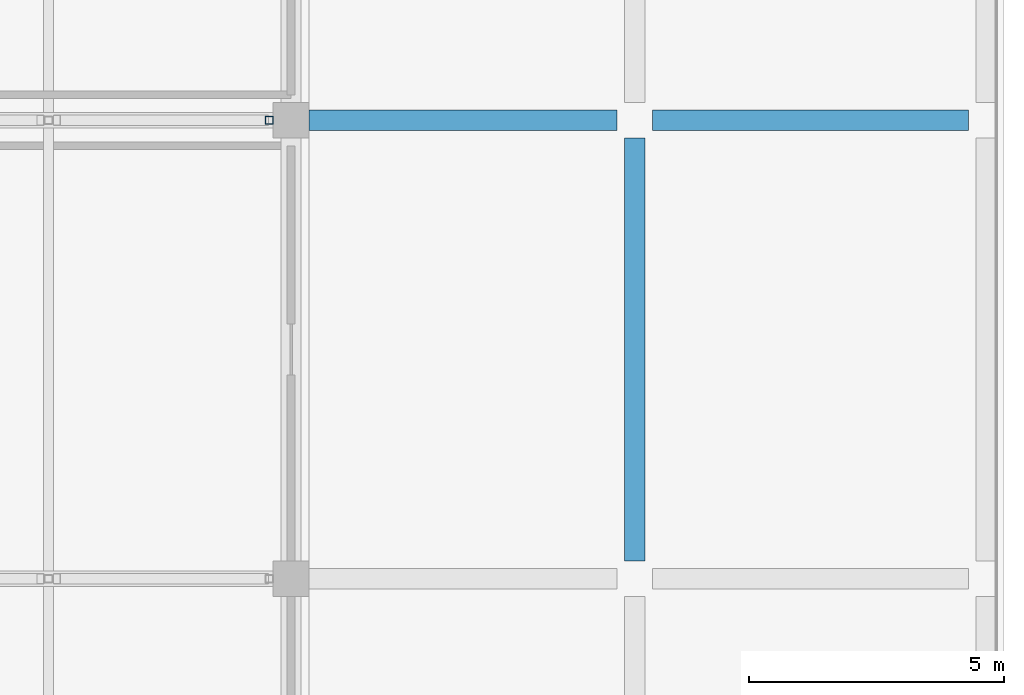
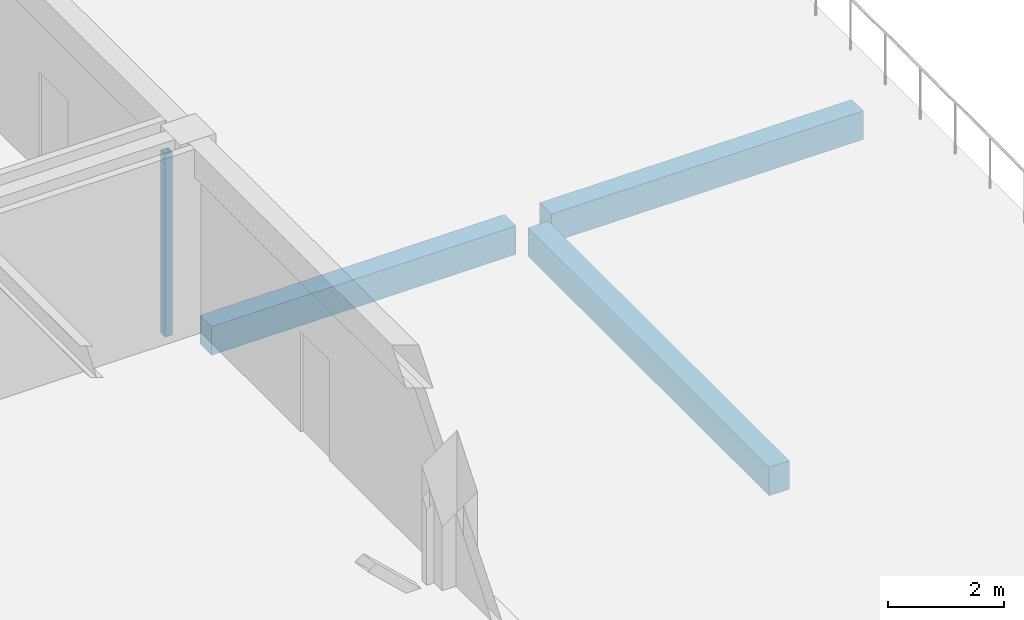
# One storey, part 15 of 30: 3 beams, 1 member.
"""IFC4 building model written with IfcOpenShell, lengths in metres."""

from ifc_helpers import new_model, si_unit, direction, frame, origin, origin_2d, place, context, subcontext, project, spatial, rectangle, hollow_rectangle, extrude, material, material_profile, profile_set, type_object, element, save


model = new_model("IFC4")

# Units and contexts
model_context = context("Model", 3, precision=1e-05, world=origin(), true_north=direction((0.0, 1.0)))
body_context = subcontext(model_context, "Body", "Model", "MODEL_VIEW")
ifc_project = project(units=[si_unit("LENGTHUNIT", "METRE"), si_unit("AREAUNIT", "SQUARE_METRE"), si_unit("VOLUMEUNIT", "CUBIC_METRE"), si_unit("PLANEANGLEUNIT", "RADIAN"), si_unit("MASSUNIT", "GRAM", prefix="KILO")], contexts=[model_context])

# Site, building, storey
site_placement = place(None, origin())
site = spatial("IfcSite", under=ifc_project, at=site_placement, CompositionType="ELEMENT")
building_placement = place(site_placement, origin())
building = spatial("IfcBuilding", under=site, at=building_placement, Name="Corbel Stack Research Tower", CompositionType="ELEMENT")
storey_placement = place(building_placement, frame((0.0, 0.0, 19.5)))
storey = spatial("IfcBuildingStorey", under=building, at=storey_placement, Name="L04", CompositionType="ELEMENT", Elevation=19.5)

# Beams
ifc_material_1 = material(Name="Concrete C40/50", Category="concrete")
ifc_material_profile_1 = material_profile(ifc_material_1, rectangle(XDim=0.39990234375, YDim=0.60009765625, at=origin_2d()), Name="RC 400 x 600")
ifc_profile_set_1 = profile_set([ifc_material_profile_1], Name="Concrete C40/50")
beam_type = type_object("IfcBeamType", Name="HB1 RC beam 400 x 600", PredefinedType="BEAM", material=ifc_profile_set_1)
beam_1_placement = place(storey_placement, frame((87.300048828125, 9.0, -0.550048828125), z_axis=(1.0, 0.0, 0.0), x_axis=(0.0, 1.0, 0.0)))
element("IfcBeam", 1, at=beam_1_placement, inside=storey, type_object=beam_type, Name="Floor beam L04 H7HE-H8HE", PredefinedType="BEAM", context=body_context, shape_type="SweptSolid", body=[
    extrude(rectangle(XDim=0.39990234375, YDim=0.60009765625, at=origin_2d()), origin(), (0.0, 0.0, 1.0), 6.050048828125),
])
beam_2_placement = place(storey_placement, frame((93.699951171875, 0.35009765625, -0.550048828125), z_axis=(0.0, 1.0, 0.0), x_axis=(-1.0, 0.0, 0.0)))
element("IfcBeam", 2, at=beam_2_placement, inside=storey, type_object=beam_type, Name="Floor beam L04 H8HD-H8HE", PredefinedType="BEAM", context=body_context, shape_type="SweptSolid", body=[
    extrude(rectangle(XDim=0.39990234375, YDim=0.60009765625, at=origin_2d()), origin(), (0.0, 0.0, 1.0), 8.2998046875),
])
beam_3_placement = place(storey_placement, frame((94.050048828125, 9.0, -0.550048828125), z_axis=(1.0, 0.0, 0.0), x_axis=(0.0, 1.0, 0.0)))
element("IfcBeam", 3, at=beam_3_placement, inside=storey, type_object=beam_type, Name="Floor beam L04 H8HE-H9HE", PredefinedType="BEAM", context=body_context, shape_type="SweptSolid", body=[
    extrude(rectangle(XDim=0.39990234375, YDim=0.60009765625, at=origin_2d()), origin(), (0.0, 0.0, 1.0), 6.199951171875),
])

# Member
ifc_material_2 = material(Name="Steel S355", Category="steel")
ifc_material_profile_2 = material_profile(ifc_material_2, hollow_rectangle(XDim=0.152099609375, YDim=0.152099609375, WallThickness=0.005859375, at=origin_2d()), Name="HSS6x6x1/4")
ifc_profile_set_2 = profile_set([ifc_material_profile_2], Name="Steel S355")
member_type = type_object("IfcMemberType", Name="HT3 truss post HSS6x6x1/4", PredefinedType="POST", material=ifc_profile_set_2)
member_placement = place(storey_placement, frame((86.52392578125, 9.0, -0.25), z_axis=(0.0, 0.0, 1.0), x_axis=(1.0, 0.0, 0.0)))
element("IfcMember", 4, at=member_placement, inside=storey, type_object=member_type, Name="Truss TB3 post 9", PredefinedType="POST", context=body_context, shape_type="SweptSolid", body=[
    extrude(hollow_rectangle(XDim=0.152099609375, YDim=0.152099609375, WallThickness=0.005859375, at=origin_2d()), origin(), (0.0, 0.0, 1.0), 3.844970703125),
])

save(model, "model.ifc")
